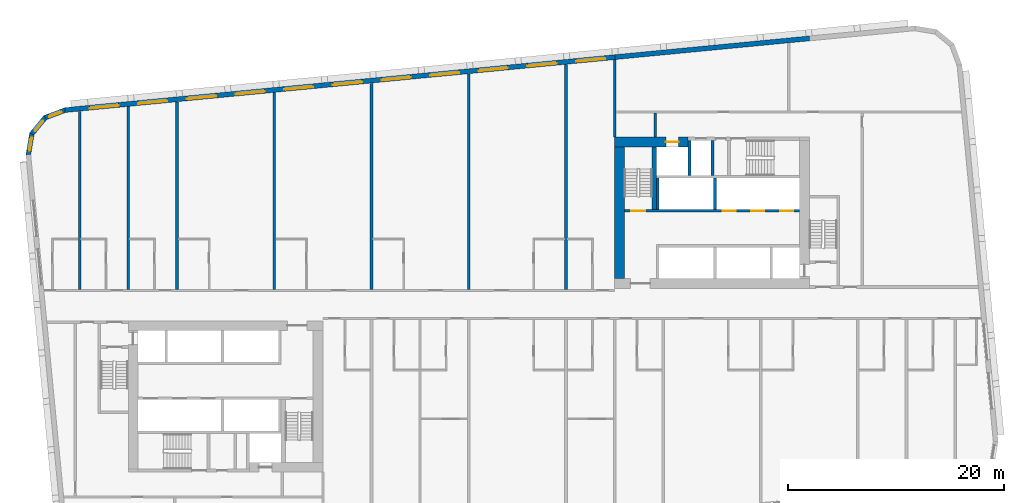
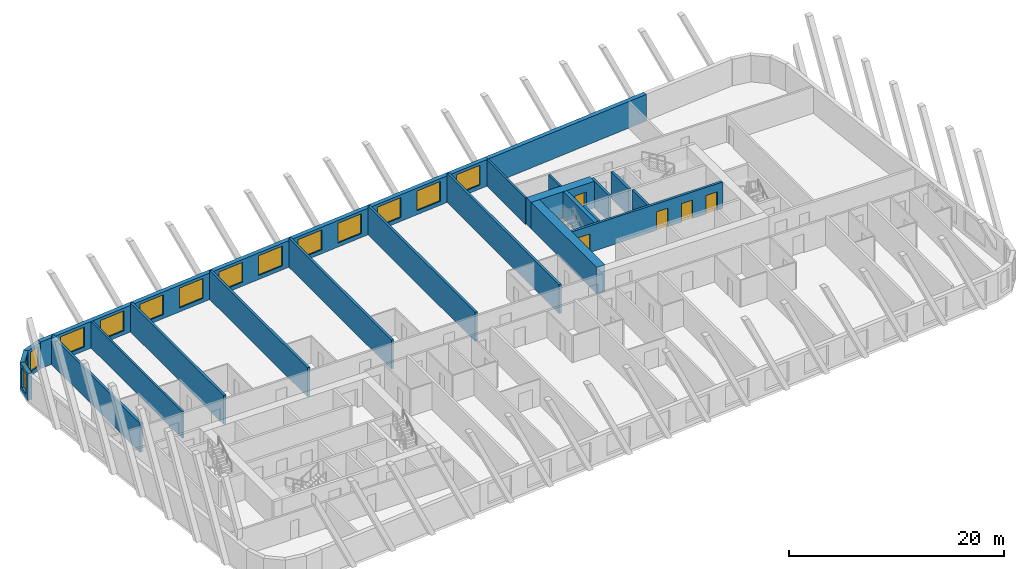
# One storey, part 6 of 13: 22 walls, 14 windows, 5 doors, 19 openings.
"""IFC4 building model written with IfcOpenShell, lengths in metres."""

from ifc_helpers import new_model, si_unit, direction, frame, frame_2d, origin, place, context, subcontext, project, spatial, polyline, rectangle, outline, extrude, material, layer, layer_set, type_object, element, fill, save


model = new_model("IFC4")

# Units and contexts
model_context = context("Model", 3, precision=1e-05, world=origin(), true_north=direction((0.0, 1.0)))
body_context = subcontext(model_context, "Body", "Model", "MODEL_VIEW")
ifc_project = project(units=[si_unit("LENGTHUNIT", "METRE"), si_unit("AREAUNIT", "SQUARE_METRE"), si_unit("VOLUMEUNIT", "CUBIC_METRE"), si_unit("PLANEANGLEUNIT", "RADIAN"), si_unit("MASSUNIT", "GRAM", prefix="KILO")], contexts=[model_context])

# Site, building, storey
site_placement = place(None, origin())
site = spatial("IfcSite", under=ifc_project, at=site_placement, CompositionType="ELEMENT")
building_placement = place(site_placement, origin())
building = spatial("IfcBuilding", under=site, at=building_placement, Name="Kajstack Hotel Tower", CompositionType="ELEMENT")
storey_placement = place(building_placement, frame((0.0, 0.0, 110.800048828125)))
storey = spatial("IfcBuildingStorey", under=building, at=storey_placement, Name="L23", CompositionType="ELEMENT", Elevation=110.800048828125)

# Wall, opening, door
ifc_material_1 = material(Name="Concrete C60/75", Category="concrete")
ifc_layer_1 = layer(ifc_material_1, 0.89990234375)
ifc_layer_set_1 = layer_set([ifc_layer_1], Name="Core wall 900")
wall_type_1 = type_object("IfcWallType", Name="Core wall 900", PredefinedType="SHEAR", material=ifc_layer_set_1)
wall_1_placement = place(storey_placement, frame((13.5, 15.050048828125, 0.0), z_axis=(0.0, 0.0, 1.0), x_axis=(1.0, 0.0, 0.0)))
wall_1 = element("IfcWall", 1, at=wall_1_placement, inside=storey, type_object=wall_type_1, Name="Core wall E RS", PredefinedType="SHEAR", context=body_context, shape_type="SweptSolid", body=[
    extrude(rectangle(XDim=6.800048828125, YDim=0.89990234375, at=frame_2d((3.39990234375, 0.0))), origin(), (0.0, 0.0, 1.0), 3.02001953125),
])
opening_1_placement = place(wall_1_placement, frame((4.72509765625, 0.0, 0.0)))
opening_1 = element("IfcOpeningElement", 2, at=opening_1_placement, cuts=wall_1, Name="Opening LD-SV2", PredefinedType="OPENING", context=body_context, shape_type="SweptSolid", body=[
    extrude(rectangle(XDim=1.199951171875, YDim=2.10009765625, at=frame_2d((0.60009765625, 1.050048828125))), frame((0.0, 0.4599609375, 0.0), z_axis=(0.0, -1.0, 0.0), x_axis=(1.0, 0.0, 0.0)), (0.0, 0.0, 1.0), 0.919921875),
])
ifc_material_2 = material(Name="Stainless steel", Category="steel")
door_type_1 = type_object("IfcDoorType", Name="Lift landing door 1200", OperationType="SLIDING_TO_LEFT", PredefinedType="DOOR", material=ifc_material_2)
door_1_placement = place(opening_1_placement, origin())
door_1 = element("IfcDoor", 3, at=door_1_placement, inside=storey, type_object=door_type_1, Name="Landing door SV2", OperationType="SLIDING_TO_LEFT", OverallHeight=2.10009765625, OverallWidth=1.199951171875, PredefinedType="DOOR", context=body_context, shape_type="SweptSolid", body=[
    extrude(rectangle(XDim=1.199951171875, YDim=2.10009765625, at=frame_2d((0.60009765625, 1.050048828125))), frame((0.0, 0.02490234375, 0.0), z_axis=(0.0, -1.0, 0.0), x_axis=(1.0, 0.0, 0.0)), (0.0, 0.0, 1.0), 0.050048828125),
])
fill(opening_1, door_1)

# Walls
wall_2_placement = place(storey_placement, frame((13.949951171875, 2.39990234375, 0.0), z_axis=(0.0, 0.0, 1.0), x_axis=(0.0, 1.0, 0.0)))
element("IfcWall", 4, at=wall_2_placement, inside=storey, type_object=wall_type_1, Name="Core wall E RE", PredefinedType="SHEAR", context=body_context, shape_type="SweptSolid", body=[
    extrude(rectangle(XDim=12.2001953125, YDim=0.89990234375, at=frame_2d((6.10009765625, 0.0))), origin(), (0.0, 0.0, 1.0), 3.02001953125),
])
ifc_material_3 = material(Name="Twin-frame gypsum board on steel studs, mineral wool", Category="steel")
ifc_layer_2 = layer(ifc_material_3, 0.199951171875)
ifc_layer_set_2 = layer_set([ifc_layer_2], Name="Demising wall 200")
wall_type_2 = type_object("IfcWallType", Name="Demising wall 200", PredefinedType="PARTITIONING", material=ifc_layer_set_2)
wall_3_placement = place(storey_placement, frame((13.5, 15.5, 0.0), z_axis=(0.0, 0.0, 1.0), x_axis=(0.0, 1.0, 0.0)))
element("IfcWall", 5, at=wall_3_placement, inside=storey, type_object=wall_type_2, Name="G-wall-L23-001", PredefinedType="PARTITIONING", context=body_context, shape_type="SweptSolid", body=[
    extrude(rectangle(XDim=7.162109375, YDim=0.199951171875, at=frame_2d((3.5810546875, 0.0))), origin(), (0.0, 0.0, 1.0), 3.02001953125),
])
wall_4_placement = place(storey_placement, frame((-31.5, 1.39990234375, 0.0), z_axis=(0.0, 0.0, 1.0), x_axis=(0.0, 1.0, 0.0)))
element("IfcWall", 6, at=wall_4_placement, inside=storey, type_object=wall_type_2, Name="G-wall-L23-006", PredefinedType="PARTITIONING", context=body_context, shape_type="SweptSolid", body=[
    extrude(rectangle(XDim=16.92919921875, YDim=0.199951171875, at=frame_2d((8.464599609375, 0.0))), origin(), (0.0, 0.0, 1.0), 3.02001953125),
])
ifc_material_4 = material(Name="Concrete C40/50", Category="concrete")
ifc_layer_3 = layer(ifc_material_4, 0.449951171875)
ifc_layer_set_3 = layer_set([ifc_layer_3], Name="EW-CORE")
wall_type_3 = type_object("IfcWallType", Name="EW-CORE", PredefinedType="SOLIDWALL", material=ifc_layer_set_3)
wall_5_placement = place(storey_placement, frame((31.521484375, 24.623291015625, 0.0), z_axis=(0.0, 0.0, 1.0), x_axis=(-0.995396454615, -0.095843091245, 0.0)))
element("IfcWall", 7, at=wall_5_placement, inside=storey, type_object=wall_type_3, Name="E-wall-L23-12-01", PredefinedType="SOLIDWALL", context=body_context, shape_type="SweptSolid", body=[
    extrude(rectangle(XDim=18.083251953125, YDim=0.449951171875, at=frame_2d((9.04150390625, 0.0))), origin(), (0.0, 0.0, 1.0), 3.02001953125),
])

# Wall, openings, windows
ifc_material_5 = material(Name="Terracotta-faced brick masonry", Category="masonry")
ifc_layer_4 = layer(ifc_material_5, 0.449951171875)
ifc_layer_set_4 = layer_set([ifc_layer_4], Name="EW-TERRA")
wall_type_4 = type_object("IfcWallType", Name="EW-TERRA", PredefinedType="SOLIDWALL", material=ifc_layer_set_4)
wall_6_placement = place(storey_placement, frame((13.521484375, 22.89013671875, 0.0), z_axis=(0.0, 0.0, 1.0), x_axis=(-0.995396445054, -0.095843190545, 0.0)))
wall_6 = element("IfcWall", 8, at=wall_6_placement, inside=storey, type_object=wall_type_4, Name="E-wall-L23-12-02", PredefinedType="SOLIDWALL", context=body_context, shape_type="SweptSolid", body=[
    extrude(rectangle(XDim=51.114013671875, YDim=0.449951171875, at=frame_2d((25.55712890625, 0.0))), origin(), (0.0, 0.0, 1.0), 3.02001953125),
])
opening_2_placement = place(wall_6_placement, frame((0.910400390625, 0.0, 0.449951171875)))
opening_2 = element("IfcOpeningElement", 9, at=opening_2_placement, cuts=wall_6, Name="Opening W1", PredefinedType="OPENING", context=body_context, shape_type="SweptSolid", body=[
    extrude(rectangle(XDim=2.699951171875, YDim=2.25, at=frame_2d((1.35009765625, 1.125))), frame((0.0, 0.23486328125, 0.0), z_axis=(0.0, -1.0, 0.0), x_axis=(1.0, 0.0, 0.0)), (0.0, 0.0, 1.0), 0.469970703125),
])
opening_3_placement = place(wall_6_placement, frame((5.43115234375, 0.0, 0.449951171875)))
opening_3 = element("IfcOpeningElement", 10, at=opening_3_placement, cuts=wall_6, Name="Opening W1", PredefinedType="OPENING", context=body_context, shape_type="SweptSolid", body=[
    extrude(rectangle(XDim=2.699951171875, YDim=2.25, at=frame_2d((1.35009765625, 1.125))), frame((0.0, 0.23486328125, 0.0), z_axis=(0.0, -1.0, 0.0), x_axis=(1.0, 0.0, 0.0)), (0.0, 0.0, 1.0), 0.469970703125),
])
opening_4_placement = place(wall_6_placement, frame((9.951904296875, 0.0, 0.449951171875)))
opening_4 = element("IfcOpeningElement", 11, at=opening_4_placement, cuts=wall_6, Name="Opening W1", PredefinedType="OPENING", context=body_context, shape_type="SweptSolid", body=[
    extrude(rectangle(XDim=2.699951171875, YDim=2.25, at=frame_2d((1.35009765625, 1.125))), frame((0.0, 0.23486328125, 0.0), z_axis=(0.0, -1.0, 0.0), x_axis=(1.0, 0.0, 0.0)), (0.0, 0.0, 1.0), 0.469970703125),
])
opening_5_placement = place(wall_6_placement, frame((14.472900390625, 0.0, 0.449951171875)))
opening_5 = element("IfcOpeningElement", 12, at=opening_5_placement, cuts=wall_6, Name="Opening W1", PredefinedType="OPENING", context=body_context, shape_type="SweptSolid", body=[
    extrude(rectangle(XDim=2.699951171875, YDim=2.25, at=frame_2d((1.35009765625, 1.125))), frame((0.0, 0.23486328125, 0.0), z_axis=(0.0, -1.0, 0.0), x_axis=(1.0, 0.0, 0.0)), (0.0, 0.0, 1.0), 0.469970703125),
])
opening_6_placement = place(wall_6_placement, frame((18.99365234375, 0.0, 0.449951171875)))
opening_6 = element("IfcOpeningElement", 13, at=opening_6_placement, cuts=wall_6, Name="Opening W1", PredefinedType="OPENING", context=body_context, shape_type="SweptSolid", body=[
    extrude(rectangle(XDim=2.699951171875, YDim=2.25, at=frame_2d((1.35009765625, 1.125))), frame((0.0, 0.23486328125, 0.0), z_axis=(0.0, -1.0, 0.0), x_axis=(1.0, 0.0, 0.0)), (0.0, 0.0, 1.0), 0.469970703125),
])
opening_7_placement = place(wall_6_placement, frame((23.514404296875, 0.0, 0.449951171875)))
opening_7 = element("IfcOpeningElement", 14, at=opening_7_placement, cuts=wall_6, Name="Opening W1", PredefinedType="OPENING", context=body_context, shape_type="SweptSolid", body=[
    extrude(rectangle(XDim=2.699951171875, YDim=2.25, at=frame_2d((1.35009765625, 1.125))), frame((0.0, 0.23486328125, 0.0), z_axis=(0.0, -1.0, 0.0), x_axis=(1.0, 0.0, 0.0)), (0.0, 0.0, 1.0), 0.469970703125),
])
opening_8_placement = place(wall_6_placement, frame((28.035400390625, 0.0, 0.449951171875)))
opening_8 = element("IfcOpeningElement", 15, at=opening_8_placement, cuts=wall_6, Name="Opening W1", PredefinedType="OPENING", context=body_context, shape_type="SweptSolid", body=[
    extrude(rectangle(XDim=2.699951171875, YDim=2.25, at=frame_2d((1.35009765625, 1.125))), frame((0.0, 0.23486328125, 0.0), z_axis=(0.0, -1.0, 0.0), x_axis=(1.0, 0.0, 0.0)), (0.0, 0.0, 1.0), 0.469970703125),
])
opening_9_placement = place(wall_6_placement, frame((32.55615234375, 0.0, 0.449951171875)))
opening_9 = element("IfcOpeningElement", 16, at=opening_9_placement, cuts=wall_6, Name="Opening W1", PredefinedType="OPENING", context=body_context, shape_type="SweptSolid", body=[
    extrude(rectangle(XDim=2.699951171875, YDim=2.25, at=frame_2d((1.35009765625, 1.125))), frame((0.0, 0.23486328125, 0.0), z_axis=(0.0, -1.0, 0.0), x_axis=(1.0, 0.0, 0.0)), (0.0, 0.0, 1.0), 0.469970703125),
])
opening_10_placement = place(wall_6_placement, frame((37.076904296875, 0.0, 0.449951171875)))
opening_10 = element("IfcOpeningElement", 17, at=opening_10_placement, cuts=wall_6, Name="Opening W1", PredefinedType="OPENING", context=body_context, shape_type="SweptSolid", body=[
    extrude(rectangle(XDim=2.699951171875, YDim=2.25, at=frame_2d((1.35009765625, 1.125))), frame((0.0, 0.23486328125, 0.0), z_axis=(0.0, -1.0, 0.0), x_axis=(1.0, 0.0, 0.0)), (0.0, 0.0, 1.0), 0.469970703125),
])
opening_11_placement = place(wall_6_placement, frame((41.59765625, 0.0, 0.449951171875)))
opening_11 = element("IfcOpeningElement", 18, at=opening_11_placement, cuts=wall_6, Name="Opening W1", PredefinedType="OPENING", context=body_context, shape_type="SweptSolid", body=[
    extrude(rectangle(XDim=2.699951171875, YDim=2.25, at=frame_2d((1.35009765625, 1.125))), frame((0.0, 0.23486328125, 0.0), z_axis=(0.0, -1.0, 0.0), x_axis=(1.0, 0.0, 0.0)), (0.0, 0.0, 1.0), 0.469970703125),
])
opening_12_placement = place(wall_6_placement, frame((46.118408203125, 0.0, 0.449951171875)))
opening_12 = element("IfcOpeningElement", 19, at=opening_12_placement, cuts=wall_6, Name="Opening W1", PredefinedType="OPENING", context=body_context, shape_type="SweptSolid", body=[
    extrude(rectangle(XDim=2.699951171875, YDim=2.25, at=frame_2d((1.35009765625, 1.125))), frame((0.0, 0.23486328125, 0.0), z_axis=(0.0, -1.0, 0.0), x_axis=(1.0, 0.0, 0.0)), (0.0, 0.0, 1.0), 0.469970703125),
])
ifc_material_6 = material(Name="Timber-aluminium window, triple glazed", Category="wood")
window_type_1 = type_object("IfcWindowType", Name="WG1", PartitioningType="SINGLE_PANEL", PredefinedType="WINDOW", material=ifc_material_6)
window_1_placement = place(opening_2_placement, origin())
window_1 = element("IfcWindow", 20, at=window_1_placement, inside=storey, type_object=window_type_1, Name="Window W1 L23-12", OverallHeight=2.25, OverallWidth=2.699951171875, PartitioningType="SINGLE_PANEL", PredefinedType="WINDOW", context=body_context, shape_type="SweptSolid", body=[
    extrude(rectangle(XDim=2.699951171875, YDim=2.25, at=frame_2d((1.35009765625, 1.125))), frame((0.0, 0.090087890625, 0.0), z_axis=(0.0, -1.0, 0.0), x_axis=(1.0, 0.0, 0.0)), (0.0, 0.0, 1.0), 0.06005859375),
])
fill(opening_2, window_1)
window_2_placement = place(opening_3_placement, origin())
window_2 = element("IfcWindow", 21, at=window_2_placement, inside=storey, type_object=window_type_1, Name="Window W1 L23-12", OverallHeight=2.25, OverallWidth=2.699951171875, PartitioningType="SINGLE_PANEL", PredefinedType="WINDOW", context=body_context, shape_type="SweptSolid", body=[
    extrude(rectangle(XDim=2.699951171875, YDim=2.25, at=frame_2d((1.35009765625, 1.125))), frame((0.0, 0.090087890625, 0.0), z_axis=(0.0, -1.0, 0.0), x_axis=(1.0, 0.0, 0.0)), (0.0, 0.0, 1.0), 0.06005859375),
])
fill(opening_3, window_2)
window_3_placement = place(opening_4_placement, origin())
window_3 = element("IfcWindow", 22, at=window_3_placement, inside=storey, type_object=window_type_1, Name="Window W1 L23-12", OverallHeight=2.25, OverallWidth=2.699951171875, PartitioningType="SINGLE_PANEL", PredefinedType="WINDOW", context=body_context, shape_type="SweptSolid", body=[
    extrude(rectangle(XDim=2.699951171875, YDim=2.25, at=frame_2d((1.35009765625, 1.125))), frame((0.0, 0.090087890625, 0.0), z_axis=(0.0, -1.0, 0.0), x_axis=(1.0, 0.0, 0.0)), (0.0, 0.0, 1.0), 0.06005859375),
])
fill(opening_4, window_3)
window_4_placement = place(opening_5_placement, origin())
window_4 = element("IfcWindow", 23, at=window_4_placement, inside=storey, type_object=window_type_1, Name="Window W1 L23-12", OverallHeight=2.25, OverallWidth=2.699951171875, PartitioningType="SINGLE_PANEL", PredefinedType="WINDOW", context=body_context, shape_type="SweptSolid", body=[
    extrude(rectangle(XDim=2.699951171875, YDim=2.25, at=frame_2d((1.35009765625, 1.125))), frame((0.0, 0.090087890625, 0.0), z_axis=(0.0, -1.0, 0.0), x_axis=(1.0, 0.0, 0.0)), (0.0, 0.0, 1.0), 0.06005859375),
])
fill(opening_5, window_4)
window_5_placement = place(opening_6_placement, origin())
window_5 = element("IfcWindow", 24, at=window_5_placement, inside=storey, type_object=window_type_1, Name="Window W1 L23-12", OverallHeight=2.25, OverallWidth=2.699951171875, PartitioningType="SINGLE_PANEL", PredefinedType="WINDOW", context=body_context, shape_type="SweptSolid", body=[
    extrude(rectangle(XDim=2.699951171875, YDim=2.25, at=frame_2d((1.35009765625, 1.125))), frame((0.0, 0.090087890625, 0.0), z_axis=(0.0, -1.0, 0.0), x_axis=(1.0, 0.0, 0.0)), (0.0, 0.0, 1.0), 0.06005859375),
])
fill(opening_6, window_5)
window_6_placement = place(opening_7_placement, origin())
window_6 = element("IfcWindow", 25, at=window_6_placement, inside=storey, type_object=window_type_1, Name="Window W1 L23-12", OverallHeight=2.25, OverallWidth=2.699951171875, PartitioningType="SINGLE_PANEL", PredefinedType="WINDOW", context=body_context, shape_type="SweptSolid", body=[
    extrude(rectangle(XDim=2.699951171875, YDim=2.25, at=frame_2d((1.35009765625, 1.125))), frame((0.0, 0.090087890625, 0.0), z_axis=(0.0, -1.0, 0.0), x_axis=(1.0, 0.0, 0.0)), (0.0, 0.0, 1.0), 0.06005859375),
])
fill(opening_7, window_6)
window_7_placement = place(opening_8_placement, origin())
window_7 = element("IfcWindow", 26, at=window_7_placement, inside=storey, type_object=window_type_1, Name="Window W1 L23-12", OverallHeight=2.25, OverallWidth=2.699951171875, PartitioningType="SINGLE_PANEL", PredefinedType="WINDOW", context=body_context, shape_type="SweptSolid", body=[
    extrude(rectangle(XDim=2.699951171875, YDim=2.25, at=frame_2d((1.35009765625, 1.125))), frame((0.0, 0.090087890625, 0.0), z_axis=(0.0, -1.0, 0.0), x_axis=(1.0, 0.0, 0.0)), (0.0, 0.0, 1.0), 0.06005859375),
])
fill(opening_8, window_7)
window_8_placement = place(opening_9_placement, origin())
window_8 = element("IfcWindow", 27, at=window_8_placement, inside=storey, type_object=window_type_1, Name="Window W1 L23-12", OverallHeight=2.25, OverallWidth=2.699951171875, PartitioningType="SINGLE_PANEL", PredefinedType="WINDOW", context=body_context, shape_type="SweptSolid", body=[
    extrude(rectangle(XDim=2.699951171875, YDim=2.25, at=frame_2d((1.35009765625, 1.125))), frame((0.0, 0.090087890625, 0.0), z_axis=(0.0, -1.0, 0.0), x_axis=(1.0, 0.0, 0.0)), (0.0, 0.0, 1.0), 0.06005859375),
])
fill(opening_9, window_8)
window_9_placement = place(opening_10_placement, origin())
window_9 = element("IfcWindow", 28, at=window_9_placement, inside=storey, type_object=window_type_1, Name="Window W1 L23-12", OverallHeight=2.25, OverallWidth=2.699951171875, PartitioningType="SINGLE_PANEL", PredefinedType="WINDOW", context=body_context, shape_type="SweptSolid", body=[
    extrude(rectangle(XDim=2.699951171875, YDim=2.25, at=frame_2d((1.35009765625, 1.125))), frame((0.0, 0.090087890625, 0.0), z_axis=(0.0, -1.0, 0.0), x_axis=(1.0, 0.0, 0.0)), (0.0, 0.0, 1.0), 0.06005859375),
])
fill(opening_10, window_9)
window_10_placement = place(opening_11_placement, origin())
window_10 = element("IfcWindow", 29, at=window_10_placement, inside=storey, type_object=window_type_1, Name="Window W1 L23-12", OverallHeight=2.25, OverallWidth=2.699951171875, PartitioningType="SINGLE_PANEL", PredefinedType="WINDOW", context=body_context, shape_type="SweptSolid", body=[
    extrude(rectangle(XDim=2.699951171875, YDim=2.25, at=frame_2d((1.35009765625, 1.125))), frame((0.0, 0.090087890625, 0.0), z_axis=(0.0, -1.0, 0.0), x_axis=(1.0, 0.0, 0.0)), (0.0, 0.0, 1.0), 0.06005859375),
])
fill(opening_11, window_10)
window_11_placement = place(opening_12_placement, origin())
window_11 = element("IfcWindow", 30, at=window_11_placement, inside=storey, type_object=window_type_1, Name="Window W1 L23-12", OverallHeight=2.25, OverallWidth=2.699951171875, PartitioningType="SINGLE_PANEL", PredefinedType="WINDOW", context=body_context, shape_type="SweptSolid", body=[
    extrude(rectangle(XDim=2.699951171875, YDim=2.25, at=frame_2d((1.35009765625, 1.125))), frame((0.0, 0.090087890625, 0.0), z_axis=(0.0, -1.0, 0.0), x_axis=(1.0, 0.0, 0.0)), (0.0, 0.0, 1.0), 0.06005859375),
])
fill(opening_12, window_11)

# Wall, opening, window
wall_7_placement = place(storey_placement, frame((-37.300048828125, 18.00439453125, 0.0), z_axis=(0.0, 0.0, 1.0), x_axis=(-0.936677599948, -0.350192909346, 0.0)))
wall_7 = element("IfcWall", 31, at=wall_7_placement, inside=storey, type_object=wall_type_4, Name="E-wall-L23-13-00", PredefinedType="SOLIDWALL", context=body_context, shape_type="SweptSolid", body=[
    extrude(outline(polyline([(0.0, -0.224853515625), (2.070556640625, -0.224853515625), (1.949951171875, 0.22509765625), (0.12060546875, 0.22509765625), (0.0, -0.224853515625)])), origin(), (0.0, 0.0, 1.0), 3.02001953125),
])
opening_13_placement = place(wall_7_placement, frame((0.435302734375, 0.0, 0.449951171875)))
opening_13 = element("IfcOpeningElement", 32, at=opening_13_placement, cuts=wall_7, Name="Opening W3", PredefinedType="OPENING", context=body_context, shape_type="SweptSolid", body=[
    extrude(rectangle(XDim=1.199951171875, YDim=2.25, at=frame_2d((0.60009765625, 1.125))), frame((0.0, 0.23486328125, 0.0), z_axis=(0.0, -1.0, 0.0), x_axis=(1.0, 0.0, 0.0)), (0.0, 0.0, 1.0), 0.469970703125),
])
window_type_2 = type_object("IfcWindowType", Name="WG3", PartitioningType="SINGLE_PANEL", PredefinedType="WINDOW", material=ifc_material_6)
window_12_placement = place(opening_13_placement, origin())
window_12 = element("IfcWindow", 33, at=window_12_placement, inside=storey, type_object=window_type_2, Name="Window W3 L23-13", OverallHeight=2.25, OverallWidth=1.199951171875, PartitioningType="SINGLE_PANEL", PredefinedType="WINDOW", context=body_context, shape_type="SweptSolid", body=[
    extrude(rectangle(XDim=1.199951171875, YDim=2.25, at=frame_2d((0.60009765625, 1.125))), frame((0.0, 0.090087890625, 0.0), z_axis=(0.0, -1.0, 0.0), x_axis=(1.0, 0.0, 0.0)), (0.0, 0.0, 1.0), 0.06005859375),
])
fill(opening_13, window_12)

wall_8_placement = place(storey_placement, frame((-39.144775390625, 17.346923828125, 0.0), z_axis=(0.0, 0.0, 1.0), x_axis=(-0.636046112757, -0.771651049663, 0.0)))
wall_8 = element("IfcWall", 34, at=wall_8_placement, inside=storey, type_object=wall_type_4, Name="E-wall-L23-14-00", PredefinedType="SOLIDWALL", context=body_context, shape_type="SweptSolid", body=[
    extrude(outline(polyline([(0.0, -0.224853515625), (2.070556640625, -0.224853515625), (1.949951171875, 0.22509765625), (0.12060546875, 0.22509765625), (0.0, -0.224853515625)])), origin(), (0.0, 0.0, 1.0), 3.02001953125),
])
opening_14_placement = place(wall_8_placement, frame((0.435302734375, 0.0, 0.449951171875)))
opening_14 = element("IfcOpeningElement", 35, at=opening_14_placement, cuts=wall_8, Name="Opening W3", PredefinedType="OPENING", context=body_context, shape_type="SweptSolid", body=[
    extrude(rectangle(XDim=1.199951171875, YDim=2.25, at=frame_2d((0.60009765625, 1.125))), frame((0.0, 0.23486328125, 0.0), z_axis=(0.0, -1.0, 0.0), x_axis=(1.0, 0.0, 0.0)), (0.0, 0.0, 1.0), 0.469970703125),
])
window_13_placement = place(opening_14_placement, origin())
window_13 = element("IfcWindow", 36, at=window_13_placement, inside=storey, type_object=window_type_2, Name="Window W3 L23-14", OverallHeight=2.25, OverallWidth=1.199951171875, PartitioningType="SINGLE_PANEL", PredefinedType="WINDOW", context=body_context, shape_type="SweptSolid", body=[
    extrude(rectangle(XDim=1.199951171875, YDim=2.25, at=frame_2d((0.60009765625, 1.125))), frame((0.0, 0.090087890625, 0.0), z_axis=(0.0, -1.0, 0.0), x_axis=(1.0, 0.0, 0.0)), (0.0, 0.0, 1.0), 0.06005859375),
])
fill(opening_14, window_13)

wall_9_placement = place(storey_placement, frame((-40.413330078125, 15.855224609375, 0.0), z_axis=(0.0, 0.0, 1.0), x_axis=(-0.165068144653, -0.986282164302, 0.0)))
wall_9 = element("IfcWall", 37, at=wall_9_placement, inside=storey, type_object=wall_type_4, Name="E-wall-L23-15-00", PredefinedType="SOLIDWALL", context=body_context, shape_type="SweptSolid", body=[
    extrude(outline(polyline([(0.0, -0.22509765625), (2.070556640625, -0.224853515625), (1.9501953125, 0.22509765625), (0.12060546875, 0.224853515625), (0.0, -0.22509765625)])), origin(), (0.0, 0.0, 1.0), 3.02001953125),
])
opening_15_placement = place(wall_9_placement, frame((0.435302734375, 0.0, 0.449951171875)))
opening_15 = element("IfcOpeningElement", 38, at=opening_15_placement, cuts=wall_9, Name="Opening W3", PredefinedType="OPENING", context=body_context, shape_type="SweptSolid", body=[
    extrude(rectangle(XDim=1.199951171875, YDim=2.25, at=frame_2d((0.60009765625, 1.125))), frame((0.0, 0.23486328125, 0.0), z_axis=(0.0, -1.0, 0.0), x_axis=(1.0, 0.0, 0.0)), (0.0, 0.0, 1.0), 0.469970703125),
])
window_14_placement = place(opening_15_placement, origin())
window_14 = element("IfcWindow", 39, at=window_14_placement, inside=storey, type_object=window_type_2, Name="Window W3 L23-15", OverallHeight=2.25, OverallWidth=1.199951171875, PartitioningType="SINGLE_PANEL", PredefinedType="WINDOW", context=body_context, shape_type="SweptSolid", body=[
    extrude(rectangle(XDim=1.199951171875, YDim=2.25, at=frame_2d((0.60009765625, 1.125))), frame((0.0, 0.090087890625, 0.0), z_axis=(0.0, -1.0, 0.0), x_axis=(1.0, 0.0, 0.0)), (0.0, 0.0, 1.0), 0.06005859375),
])
fill(opening_15, window_14)

# Walls
ifc_material_7 = material(Name="Concrete C50/60", Category="concrete")
ifc_layer_5 = layer(ifc_material_7, 0.300048828125)
ifc_layer_set_5 = layer_set([ifc_layer_5], Name="Hoistway divider wall 300")
wall_type_5 = type_object("IfcWallType", Name="Hoistway divider wall 300", PredefinedType="SHEAR", material=ifc_layer_set_5)
wall_10_placement = place(storey_placement, frame((22.77490234375, 8.800048828125, 0.0), z_axis=(0.0, 0.0, 1.0), x_axis=(0.0, 1.0, 0.0)))
element("IfcWall", 40, at=wall_10_placement, inside=storey, type_object=wall_type_5, Name="Core wall E BP2", PredefinedType="SHEAR", context=body_context, shape_type="SweptSolid", body=[
    extrude(rectangle(XDim=2.89990234375, YDim=0.25, at=frame_2d((1.449951171875, 0.0))), origin(), (0.0, 0.0, 1.0), 3.02001953125),
])
ifc_material_8 = material(Name="Concrete C55/67", Category="concrete")
ifc_layer_6 = layer(ifc_material_8, 0.25)
ifc_layer_set_6 = layer_set([ifc_layer_6], Name="RC cross wall 250 C55/67")
wall_type_6 = type_object("IfcWallType", Name="RC cross wall 250 C55/67", PredefinedType="SHEAR", material=ifc_layer_set_6)
wall_11_placement = place(storey_placement, frame((-36.0, 1.39990234375, 0.0), z_axis=(0.0, 0.0, 1.0), x_axis=(0.0, 1.0, 0.0)))
element("IfcWall", 41, at=wall_11_placement, inside=storey, type_object=wall_type_6, Name="S-wall-L23-01", PredefinedType="SHEAR", context=body_context, shape_type="SweptSolid", body=[
    extrude(rectangle(XDim=16.473876953125, YDim=0.25, at=frame_2d((8.23681640625, 0.0))), origin(), (0.0, 0.0, 1.0), 3.300048828125),
])
wall_12_placement = place(storey_placement, frame((-27.0, 1.39990234375, 0.0), z_axis=(0.0, 0.0, 1.0), x_axis=(0.0, 1.0, 0.0)))
element("IfcWall", 42, at=wall_12_placement, inside=storey, type_object=wall_type_6, Name="S-wall-L23-02", PredefinedType="SHEAR", context=body_context, shape_type="SweptSolid", body=[
    extrude(rectangle(XDim=17.34033203125, YDim=0.25, at=frame_2d((8.670166015625, 0.0))), origin(), (0.0, 0.0, 1.0), 3.300048828125),
])
wall_13_placement = place(storey_placement, frame((-18.0, 1.39990234375, 0.0), z_axis=(0.0, 0.0, 1.0), x_axis=(0.0, 1.0, 0.0)))
element("IfcWall", 43, at=wall_13_placement, inside=storey, type_object=wall_type_6, Name="S-wall-L23-03", PredefinedType="SHEAR", context=body_context, shape_type="SweptSolid", body=[
    extrude(rectangle(XDim=18.20703125, YDim=0.25, at=frame_2d((9.103515625, 0.0))), origin(), (0.0, 0.0, 1.0), 3.300048828125),
])
wall_14_placement = place(storey_placement, frame((-9.0, 1.39990234375, 0.0), z_axis=(0.0, 0.0, 1.0), x_axis=(0.0, 1.0, 0.0)))
element("IfcWall", 44, at=wall_14_placement, inside=storey, type_object=wall_type_6, Name="S-wall-L23-05", PredefinedType="SHEAR", context=body_context, shape_type="SweptSolid", body=[
    extrude(rectangle(XDim=19.073486328125, YDim=0.25, at=frame_2d((9.53662109375, 0.0))), origin(), (0.0, 0.0, 1.0), 3.300048828125),
])
wall_15_placement = place(storey_placement, frame((0.0, 1.39990234375, 0.0), z_axis=(0.0, 0.0, 1.0), x_axis=(0.0, 1.0, 0.0)))
element("IfcWall", 45, at=wall_15_placement, inside=storey, type_object=wall_type_6, Name="S-wall-L23-07", PredefinedType="SHEAR", context=body_context, shape_type="SweptSolid", body=[
    extrude(rectangle(XDim=19.940185546875, YDim=0.25, at=frame_2d((9.97021484375, 0.0))), origin(), (0.0, 0.0, 1.0), 3.300048828125),
])
wall_16_placement = place(storey_placement, frame((9.0, 1.39990234375, 0.0), z_axis=(0.0, 0.0, 1.0), x_axis=(0.0, 1.0, 0.0)))
element("IfcWall", 46, at=wall_16_placement, inside=storey, type_object=wall_type_6, Name="S-wall-L23-09", PredefinedType="SHEAR", context=body_context, shape_type="SweptSolid", body=[
    extrude(rectangle(XDim=20.806884765625, YDim=0.25, at=frame_2d((10.4033203125, 0.0))), origin(), (0.0, 0.0, 1.0), 3.300048828125),
])
ifc_material_9 = material(Name="Concrete block masonry", Category="masonry")
ifc_layer_7 = layer(ifc_material_9, 0.25)
ifc_layer_set_7 = layer_set([ifc_layer_7], Name="Riser partition 250")
wall_type_7 = type_object("IfcWallType", Name="Riser partition 250", PredefinedType="PARTITIONING", material=ifc_layer_set_7)
wall_17_placement = place(storey_placement, frame((22.550048828125, 11.949951171875, 0.0), z_axis=(0.0, 0.0, 1.0), x_axis=(0.0, 1.0, 0.0)))
element("IfcWall", 47, at=wall_17_placement, inside=storey, type_object=wall_type_7, Name="Partition E SZ0", PredefinedType="PARTITIONING", context=body_context, shape_type="SweptSolid", body=[
    extrude(rectangle(XDim=3.25, YDim=0.25, at=frame_2d((1.625, 0.0))), origin(), (0.0, 0.0, 1.0), 3.02001953125),
])
ifc_material_10 = material(Name="Gypsum board on steel studs, mineral wool", Category="steel")
ifc_layer_8 = layer(ifc_material_10, 0.199951171875)
ifc_layer_set_8 = layer_set([ifc_layer_8], Name="Service partition 200")
wall_type_8 = type_object("IfcWallType", Name="Service partition 200", PredefinedType="PARTITIONING", material=ifc_layer_set_8)
wall_18_placement = place(storey_placement, frame((17.25, 15.5, 0.0), z_axis=(0.0, 0.0, 1.0), x_axis=(0.0, 1.0, 0.0)))
element("IfcWall", 48, at=wall_18_placement, inside=storey, type_object=wall_type_8, Name="Partition E SCE", PredefinedType="PARTITIONING", context=body_context, shape_type="SweptSolid", body=[
    extrude(rectangle(XDim=2.199951171875, YDim=0.199951171875, at=frame_2d((1.10009765625, 0.0))), origin(), (0.0, 0.0, 1.0), 3.02001953125),
])

# Wall, openings, doors
ifc_layer_9 = layer(ifc_material_7, 0.25)
ifc_layer_set_9 = layer_set([ifc_layer_9], Name="Shaft wall 250")
wall_type_9 = type_object("IfcWallType", Name="Shaft wall 250", PredefinedType="SHEAR", material=ifc_layer_set_9)
wall_19_placement = place(storey_placement, frame((14.39990234375, 8.675048828125, 0.0), z_axis=(0.0, 0.0, 1.0), x_axis=(1.0, 0.0, 0.0)))
wall_19 = element("IfcWall", 49, at=wall_19_placement, inside=storey, type_object=wall_type_9, Name="Core wall E FB", PredefinedType="SHEAR", context=body_context, shape_type="SweptSolid", body=[
    extrude(rectangle(XDim=16.2001953125, YDim=0.25, at=frame_2d((8.10009765625, 0.0))), origin(), (0.0, 0.0, 1.0), 3.02001953125),
])
opening_16_placement = place(wall_19_placement, frame((14.39990234375, 0.0, 0.0)))
opening_16 = element("IfcOpeningElement", 50, at=opening_16_placement, cuts=wall_19, Name="Opening LD-LR4", PredefinedType="OPENING", context=body_context, shape_type="SweptSolid", body=[
    extrude(rectangle(XDim=1.199951171875, YDim=2.10009765625, at=frame_2d((0.60009765625, 1.050048828125))), frame((0.0, 0.135009765625, 0.0), z_axis=(0.0, -1.0, 0.0), x_axis=(1.0, 0.0, 0.0)), (0.0, 0.0, 1.0), 0.27001953125),
])
opening_17_placement = place(wall_19_placement, frame((11.75, 0.0, 0.0)))
opening_17 = element("IfcOpeningElement", 51, at=opening_17_placement, cuts=wall_19, Name="Opening LD-LR5", PredefinedType="OPENING", context=body_context, shape_type="SweptSolid", body=[
    extrude(rectangle(XDim=1.199951171875, YDim=2.10009765625, at=frame_2d((0.60009765625, 1.050048828125))), frame((0.0, 0.135009765625, 0.0), z_axis=(0.0, -1.0, 0.0), x_axis=(1.0, 0.0, 0.0)), (0.0, 0.0, 1.0), 0.27001953125),
])
opening_18_placement = place(wall_19_placement, frame((9.10009765625, 0.0, 0.0)))
opening_18 = element("IfcOpeningElement", 52, at=opening_18_placement, cuts=wall_19, Name="Opening LD-LR6", PredefinedType="OPENING", context=body_context, shape_type="SweptSolid", body=[
    extrude(rectangle(XDim=1.199951171875, YDim=2.10009765625, at=frame_2d((0.60009765625, 1.050048828125))), frame((0.0, 0.135009765625, 0.0), z_axis=(0.0, -1.0, 0.0), x_axis=(1.0, 0.0, 0.0)), (0.0, 0.0, 1.0), 0.27001953125),
])
opening_19_placement = place(wall_19_placement, frame((0.64990234375, 0.0, 0.0)))
opening_19 = element("IfcOpeningElement", 53, at=opening_19_placement, cuts=wall_19, Name="Opening 23E10", PredefinedType="OPENING", context=body_context, shape_type="SweptSolid", body=[
    extrude(rectangle(XDim=1.300048828125, YDim=2.10009765625, at=frame_2d((0.64990234375, 1.050048828125))), frame((0.0, 0.135009765625, 0.0), z_axis=(0.0, -1.0, 0.0), x_axis=(1.0, 0.0, 0.0)), (0.0, 0.0, 1.0), 0.27001953125),
])
door_2_placement = place(opening_16_placement, origin())
door_2 = element("IfcDoor", 54, at=door_2_placement, inside=storey, type_object=door_type_1, Name="Landing door LR4", OperationType="SLIDING_TO_LEFT", OverallHeight=2.10009765625, OverallWidth=1.199951171875, PredefinedType="DOOR", context=body_context, shape_type="SweptSolid", body=[
    extrude(rectangle(XDim=1.199951171875, YDim=2.10009765625, at=frame_2d((0.60009765625, 1.050048828125))), frame((0.0, 0.02490234375, 0.0), z_axis=(0.0, -1.0, 0.0), x_axis=(1.0, 0.0, 0.0)), (0.0, 0.0, 1.0), 0.050048828125),
])
fill(opening_16, door_2)
door_3_placement = place(opening_17_placement, origin())
door_3 = element("IfcDoor", 55, at=door_3_placement, inside=storey, type_object=door_type_1, Name="Landing door LR5", OperationType="SLIDING_TO_RIGHT", OverallHeight=2.10009765625, OverallWidth=1.199951171875, PredefinedType="DOOR", context=body_context, shape_type="SweptSolid", body=[
    extrude(rectangle(XDim=1.199951171875, YDim=2.10009765625, at=frame_2d((0.60009765625, 1.050048828125))), frame((0.0, 0.02490234375, 0.0), z_axis=(0.0, -1.0, 0.0), x_axis=(1.0, 0.0, 0.0)), (0.0, 0.0, 1.0), 0.050048828125),
])
fill(opening_17, door_3)
door_4_placement = place(opening_18_placement, origin())
door_4 = element("IfcDoor", 56, at=door_4_placement, inside=storey, type_object=door_type_1, Name="Landing door LR6", OperationType="SLIDING_TO_RIGHT", OverallHeight=2.10009765625, OverallWidth=1.199951171875, PredefinedType="DOOR", context=body_context, shape_type="SweptSolid", body=[
    extrude(rectangle(XDim=1.199951171875, YDim=2.10009765625, at=frame_2d((0.60009765625, 1.050048828125))), frame((0.0, 0.02490234375, 0.0), z_axis=(0.0, -1.0, 0.0), x_axis=(1.0, 0.0, 0.0)), (0.0, 0.0, 1.0), 0.050048828125),
])
fill(opening_18, door_4)
ifc_material_11 = material(Name="Steel leaf, fire-rated", Category="steel")
door_type_2 = type_object("IfcDoorType", Name="Stair door 1300", OperationType="SINGLE_SWING_LEFT", PredefinedType="DOOR", material=ifc_material_11)
door_5_placement = place(opening_19_placement, origin())
door_5 = element("IfcDoor", 57, at=door_5_placement, inside=storey, type_object=door_type_2, Name="Door 23E10", OperationType="SINGLE_SWING_LEFT", OverallHeight=2.10009765625, OverallWidth=1.300048828125, PredefinedType="DOOR", context=body_context, shape_type="SweptSolid", body=[
    extrude(rectangle(XDim=1.300048828125, YDim=2.10009765625, at=frame_2d((0.64990234375, 1.050048828125))), frame((0.0, 0.02490234375, 0.0), z_axis=(0.0, -1.0, 0.0), x_axis=(1.0, 0.0, 0.0)), (0.0, 0.0, 1.0), 0.050048828125),
])
fill(opening_19, door_5)

# Walls
wall_20_placement = place(storey_placement, frame((17.47509765625, 8.800048828125, 0.0), z_axis=(0.0, 0.0, 1.0), x_axis=(0.0, 1.0, 0.0)))
element("IfcWall", 58, at=wall_20_placement, inside=storey, type_object=wall_type_9, Name="Core wall E BE", PredefinedType="SHEAR", context=body_context, shape_type="SweptSolid", body=[
    extrude(rectangle(XDim=2.89990234375, YDim=0.25, at=frame_2d((1.449951171875, 0.0))), origin(), (0.0, 0.0, 1.0), 3.02001953125),
])
wall_21_placement = place(storey_placement, frame((20.425048828125, 11.949951171875, 0.0), z_axis=(0.0, 0.0, 1.0), x_axis=(0.0, 1.0, 0.0)))
element("IfcWall", 59, at=wall_21_placement, inside=storey, type_object=wall_type_9, Name="Core wall E SVW", PredefinedType="SHEAR", context=body_context, shape_type="SweptSolid", body=[
    extrude(rectangle(XDim=3.25, YDim=0.25, at=frame_2d((1.625, 0.0))), origin(), (0.0, 0.0, 1.0), 3.02001953125),
])
ifc_layer_10 = layer(ifc_material_7, 0.39990234375)
ifc_layer_set_10 = layer_set([ifc_layer_10], Name="Stair wall 400")
wall_type_10 = type_object("IfcWallType", Name="Stair wall 400", PredefinedType="SHEAR", material=ifc_layer_set_10)
wall_22_placement = place(storey_placement, frame((17.14990234375, 8.800048828125, 0.0), z_axis=(0.0, 0.0, 1.0), x_axis=(0.0, 1.0, 0.0)))
element("IfcWall", 60, at=wall_22_placement, inside=storey, type_object=wall_type_10, Name="Core wall E WW2", PredefinedType="SHEAR", context=body_context, shape_type="SweptSolid", body=[
    extrude(rectangle(XDim=5.800048828125, YDim=0.39990234375, at=frame_2d((2.89990234375, 0.0))), origin(), (0.0, 0.0, 1.0), 3.02001953125),
])

save(model, "model.ifc")
